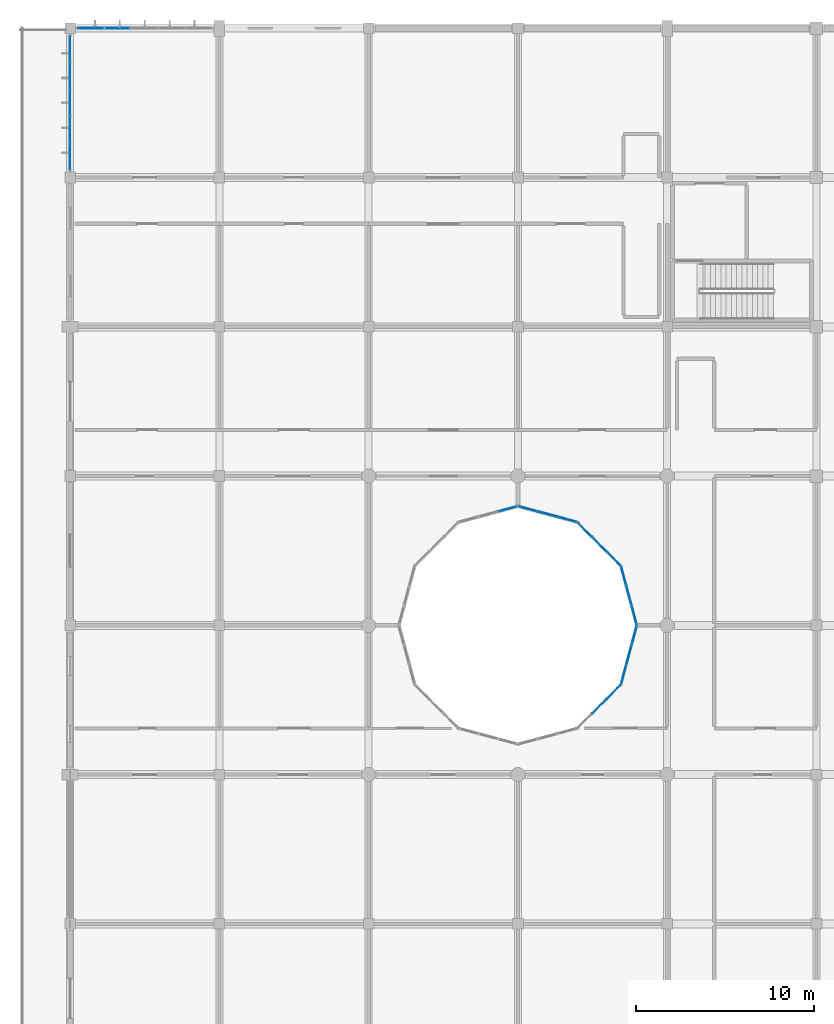
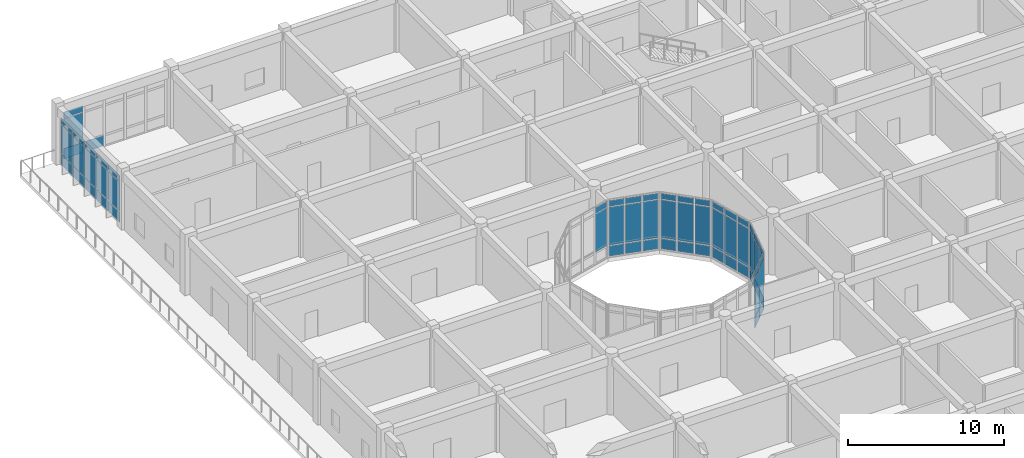
# One storey, part 71 of 138: 63 plates, 8 elements without a shape of their own.
"""IFC4 building model written with IfcOpenShell, lengths in metres."""

from ifc_helpers import new_model, si_unit, direction, frame, origin, origin_2d, place, context, subcontext, project, spatial, rectangle, extrude, material, layer, layer_set, type_object, element, aggregate, save


model = new_model("IFC4")

# Units and contexts
model_context = context("Model", 3, precision=1e-05, world=origin(), true_north=direction((0.0, 1.0)))
body_context = subcontext(model_context, "Body", "Model", "MODEL_VIEW")
ifc_project = project(units=[si_unit("LENGTHUNIT", "METRE"), si_unit("AREAUNIT", "SQUARE_METRE"), si_unit("VOLUMEUNIT", "CUBIC_METRE"), si_unit("PLANEANGLEUNIT", "RADIAN"), si_unit("MASSUNIT", "GRAM", prefix="KILO")], contexts=[model_context])

# Site, building, storey
site_placement = place(None, origin())
site = spatial("IfcSite", under=ifc_project, at=site_placement, CompositionType="ELEMENT")
building_placement = place(site_placement, origin())
building = spatial("IfcBuilding", under=site, at=building_placement, Name="Bramfleet General Hospital", CompositionType="ELEMENT")
storey_placement = place(building_placement, origin())
storey = spatial("IfcBuildingStorey", under=building, at=storey_placement, Name="L00", CompositionType="ELEMENT", Elevation=0.0)

# Curtain wall, plates
ifc_material_1 = material(Name="Anodised aluminium and low-E triple glazing", Category="aluminium")
ifc_layer_1 = layer(ifc_material_1, 0.179931640625, Name="CWT-CW-02")
ifc_layer_set_1 = layer_set([ifc_layer_1], Name="Anodised aluminium and low-E triple glazing")
curtain_wall_type_1 = type_object("IfcCurtainWallType", Name="CWT-CW-02", PredefinedType="USERDEFINED", material=ifc_layer_set_1)
curtain_wall_1_placement = place(storey_placement, origin())
curtain_wall_1 = element("IfcCurtainWall", 1, at=curtain_wall_1_placement, inside=storey, type_object=curtain_wall_type_1, Name="L00 Curtain Wall 2", ObjectType="Unitised curtain wall", PredefinedType="USERDEFINED")
ifc_material_2 = material(Name="Low-E laminated safety glass", Category="glass")
ifc_layer_2 = layer(ifc_material_2, 0.031982421875, Name="CWP-GLZ-2")
ifc_layer_set_2 = layer_set([ifc_layer_2], Name="Low-E laminated safety glass")
plate_type_1 = type_object("IfcPlateType", Name="CWP-GLZ-2", PredefinedType="CURTAIN_PANEL", material=ifc_layer_set_2)
plate_1_placement = place(storey_placement, frame((0.0, 110.357421875, 0.06494140625), z_axis=(0.0, 0.0, 1.0), x_axis=(0.0, 1.0, 0.0)))
plate_1 = element("IfcPlate", 2, at=plate_1_placement, type_object=plate_type_1, Name="CW-02 panel 1.1", PredefinedType="CURTAIN_PANEL", context=body_context, shape_type="SweptSolid", body=[
    extrude(rectangle(XDim=1.425048828125, YDim=0.031982421875, at=origin_2d()), origin(), (0.0, 0.0, 1.0), 0.802490234375),
])
plate_2_placement = place(storey_placement, frame((0.0, 110.357421875, 0.9326171875), z_axis=(0.0, 0.0, 1.0), x_axis=(0.0, 1.0, 0.0)))
plate_2 = element("IfcPlate", 3, at=plate_2_placement, type_object=plate_type_1, Name="CW-02 panel 1.2", PredefinedType="CURTAIN_PANEL", context=body_context, shape_type="SweptSolid", body=[
    extrude(rectangle(XDim=1.425048828125, YDim=0.031982421875, at=origin_2d()), origin(), (0.0, 0.0, 1.0), 2.27490234375),
])
plate_3_placement = place(storey_placement, frame((0.0, 110.357421875, 3.2724609375), z_axis=(0.0, 0.0, 1.0), x_axis=(0.0, 1.0, 0.0)))
plate_3 = element("IfcPlate", 4, at=plate_3_placement, type_object=plate_type_1, Name="CW-02 panel 1.3", PredefinedType="CURTAIN_PANEL", context=body_context, shape_type="SweptSolid", body=[
    extrude(rectangle(XDim=1.425048828125, YDim=0.031982421875, at=origin_2d()), origin(), (0.0, 0.0, 1.0), 0.452392578125),
])
plate_4_placement = place(storey_placement, frame((0.0, 111.8701171875, 0.06494140625), z_axis=(0.0, 0.0, 1.0), x_axis=(0.0, 1.0, 0.0)))
plate_4 = element("IfcPlate", 5, at=plate_4_placement, type_object=plate_type_1, Name="CW-02 panel 2.1", PredefinedType="CURTAIN_PANEL", context=body_context, shape_type="SweptSolid", body=[
    extrude(rectangle(XDim=1.4599609375, YDim=0.031982421875, at=origin_2d()), origin(), (0.0, 0.0, 1.0), 0.802490234375),
])
plate_5_placement = place(storey_placement, frame((0.0, 111.8701171875, 0.9326171875), z_axis=(0.0, 0.0, 1.0), x_axis=(0.0, 1.0, 0.0)))
plate_5 = element("IfcPlate", 6, at=plate_5_placement, type_object=plate_type_1, Name="CW-02 panel 2.2", PredefinedType="CURTAIN_PANEL", context=body_context, shape_type="SweptSolid", body=[
    extrude(rectangle(XDim=1.4599609375, YDim=0.031982421875, at=origin_2d()), origin(), (0.0, 0.0, 1.0), 2.27490234375),
])
plate_6_placement = place(storey_placement, frame((0.0, 111.8701171875, 3.2724609375), z_axis=(0.0, 0.0, 1.0), x_axis=(0.0, 1.0, 0.0)))
plate_6 = element("IfcPlate", 7, at=plate_6_placement, type_object=plate_type_1, Name="CW-02 panel 2.3", PredefinedType="CURTAIN_PANEL", context=body_context, shape_type="SweptSolid", body=[
    extrude(rectangle(XDim=1.4599609375, YDim=0.031982421875, at=origin_2d()), origin(), (0.0, 0.0, 1.0), 0.452392578125),
])
plate_7_placement = place(storey_placement, frame((0.0, 113.39990234375, 0.06494140625), z_axis=(0.0, 0.0, 1.0), x_axis=(0.0, 1.0, 0.0)))
plate_7 = element("IfcPlate", 8, at=plate_7_placement, type_object=plate_type_1, Name="CW-02 panel 3.1", PredefinedType="CURTAIN_PANEL", context=body_context, shape_type="SweptSolid", body=[
    extrude(rectangle(XDim=1.4599609375, YDim=0.031982421875, at=origin_2d()), origin(), (0.0, 0.0, 1.0), 0.802490234375),
])
plate_8_placement = place(storey_placement, frame((0.0, 113.39990234375, 0.9326171875), z_axis=(0.0, 0.0, 1.0), x_axis=(0.0, 1.0, 0.0)))
plate_8 = element("IfcPlate", 9, at=plate_8_placement, type_object=plate_type_1, Name="CW-02 panel 3.2", PredefinedType="CURTAIN_PANEL", context=body_context, shape_type="SweptSolid", body=[
    extrude(rectangle(XDim=1.4599609375, YDim=0.031982421875, at=origin_2d()), origin(), (0.0, 0.0, 1.0), 2.27490234375),
])
plate_9_placement = place(storey_placement, frame((0.0, 113.39990234375, 3.2724609375), z_axis=(0.0, 0.0, 1.0), x_axis=(0.0, 1.0, 0.0)))
plate_9 = element("IfcPlate", 10, at=plate_9_placement, type_object=plate_type_1, Name="CW-02 panel 3.3", PredefinedType="CURTAIN_PANEL", context=body_context, shape_type="SweptSolid", body=[
    extrude(rectangle(XDim=1.4599609375, YDim=0.031982421875, at=origin_2d()), origin(), (0.0, 0.0, 1.0), 0.452392578125),
])
plate_10_placement = place(storey_placement, frame((0.0, 114.929931640625, 0.06494140625), z_axis=(0.0, 0.0, 1.0), x_axis=(0.0, 1.0, 0.0)))
plate_10 = element("IfcPlate", 11, at=plate_10_placement, type_object=plate_type_1, Name="CW-02 panel 4.1", PredefinedType="CURTAIN_PANEL", context=body_context, shape_type="SweptSolid", body=[
    extrude(rectangle(XDim=1.4599609375, YDim=0.031982421875, at=origin_2d()), origin(), (0.0, 0.0, 1.0), 0.802490234375),
])
plate_11_placement = place(storey_placement, frame((0.0, 114.929931640625, 0.9326171875), z_axis=(0.0, 0.0, 1.0), x_axis=(0.0, 1.0, 0.0)))
plate_11 = element("IfcPlate", 12, at=plate_11_placement, type_object=plate_type_1, Name="CW-02 panel 4.2", PredefinedType="CURTAIN_PANEL", context=body_context, shape_type="SweptSolid", body=[
    extrude(rectangle(XDim=1.4599609375, YDim=0.031982421875, at=origin_2d()), origin(), (0.0, 0.0, 1.0), 2.27490234375),
])
plate_12_placement = place(storey_placement, frame((0.0, 114.929931640625, 3.2724609375), z_axis=(0.0, 0.0, 1.0), x_axis=(0.0, 1.0, 0.0)))
plate_12 = element("IfcPlate", 13, at=plate_12_placement, type_object=plate_type_1, Name="CW-02 panel 4.3", PredefinedType="CURTAIN_PANEL", context=body_context, shape_type="SweptSolid", body=[
    extrude(rectangle(XDim=1.4599609375, YDim=0.031982421875, at=origin_2d()), origin(), (0.0, 0.0, 1.0), 0.452392578125),
])
plate_13_placement = place(storey_placement, frame((0.0, 116.4423828125, 0.06494140625), z_axis=(0.0, 0.0, 1.0), x_axis=(0.0, 1.0, 0.0)))
plate_13 = element("IfcPlate", 14, at=plate_13_placement, type_object=plate_type_1, Name="CW-02 panel 5.1", PredefinedType="CURTAIN_PANEL", context=body_context, shape_type="SweptSolid", body=[
    extrude(rectangle(XDim=1.425048828125, YDim=0.031982421875, at=origin_2d()), origin(), (0.0, 0.0, 1.0), 0.802490234375),
])
plate_14_placement = place(storey_placement, frame((0.0, 116.4423828125, 0.9326171875), z_axis=(0.0, 0.0, 1.0), x_axis=(0.0, 1.0, 0.0)))
plate_14 = element("IfcPlate", 15, at=plate_14_placement, type_object=plate_type_1, Name="CW-02 panel 5.2", PredefinedType="CURTAIN_PANEL", context=body_context, shape_type="SweptSolid", body=[
    extrude(rectangle(XDim=1.425048828125, YDim=0.031982421875, at=origin_2d()), origin(), (0.0, 0.0, 1.0), 2.27490234375),
])
plate_15_placement = place(storey_placement, frame((0.0, 116.4423828125, 3.2724609375), z_axis=(0.0, 0.0, 1.0), x_axis=(0.0, 1.0, 0.0)))
plate_15 = element("IfcPlate", 16, at=plate_15_placement, type_object=plate_type_1, Name="CW-02 panel 5.3", PredefinedType="CURTAIN_PANEL", context=body_context, shape_type="SweptSolid", body=[
    extrude(rectangle(XDim=1.425048828125, YDim=0.031982421875, at=origin_2d()), origin(), (0.0, 0.0, 1.0), 0.452392578125),
])
aggregate(curtain_wall_1, [plate_1, plate_2, plate_3, plate_4, plate_5, plate_6, plate_7, plate_8, plate_9, plate_10, plate_11, plate_12, plate_13, plate_14, plate_15])

ifc_layer_3 = layer(ifc_material_1, 0.179931640625, Name="CWT-CW-17")
ifc_layer_set_3 = layer_set([ifc_layer_3], Name="Anodised aluminium and low-E triple glazing")
curtain_wall_type_2 = type_object("IfcCurtainWallType", Name="CWT-CW-17", PredefinedType="USERDEFINED", material=ifc_layer_set_3)
curtain_wall_2_placement = place(storey_placement, origin())
curtain_wall_2 = element("IfcCurtainWall", 17, at=curtain_wall_2_placement, inside=storey, type_object=curtain_wall_type_2, Name="L00 West Clinical Light Court Curtain Wall 5.1", ObjectType="Stick curtain wall", PredefinedType="USERDEFINED")
plate_16_placement = place(storey_placement, frame((29.77587890625, 79.424072265625, 0.06494140625), z_axis=(0.0, 0.0, 1.0), x_axis=(0.707106781187, 0.707106781187, 0.0)))
plate_16 = element("IfcPlate", 18, at=plate_16_placement, type_object=plate_type_1, Name="CW-17 panel 2.1", PredefinedType="CURTAIN_PANEL", context=body_context, shape_type="SweptSolid", body=[
    extrude(rectangle(XDim=1.0859375, YDim=0.031982421875, at=origin_2d()), origin(), (0.0, 0.0, 1.0), 0.802490234375),
])
plate_17_placement = place(storey_placement, frame((29.77587890625, 79.424072265625, 0.932373046875), z_axis=(0.0, 0.0, 1.0), x_axis=(0.707106781187, 0.707106781187, 0.0)))
plate_17 = element("IfcPlate", 19, at=plate_17_placement, type_object=plate_type_1, Name="CW-17 panel 2.2", PredefinedType="CURTAIN_PANEL", context=body_context, shape_type="SweptSolid", body=[
    extrude(rectangle(XDim=1.0859375, YDim=0.031982421875, at=origin_2d()), origin(), (0.0, 0.0, 1.0), 2.97509765625),
])
plate_18_placement = place(storey_placement, frame((29.77587890625, 79.424072265625, 3.97265625), z_axis=(0.0, 0.0, 1.0), x_axis=(0.707106781187, 0.707106781187, 0.0)))
plate_18 = element("IfcPlate", 20, at=plate_18_placement, type_object=plate_type_1, Name="CW-17 panel 2.3", PredefinedType="CURTAIN_PANEL", context=body_context, shape_type="SweptSolid", body=[
    extrude(rectangle(XDim=1.0859375, YDim=0.031982421875, at=origin_2d()), origin(), (0.0, 0.0, 1.0), 0.452392578125),
])
plate_19_placement = place(storey_placement, frame((30.5810546875, 80.22900390625, 0.06494140625), z_axis=(0.0, 0.0, 1.0), x_axis=(0.707106781187, 0.707106781187, 0.0)))
plate_19 = element("IfcPlate", 21, at=plate_19_placement, type_object=plate_type_1, Name="CW-17 panel 3.1", PredefinedType="CURTAIN_PANEL", context=body_context, shape_type="SweptSolid", body=[
    extrude(rectangle(XDim=1.05078125, YDim=0.031982421875, at=origin_2d()), origin(), (0.0, 0.0, 1.0), 0.802490234375),
])
plate_20_placement = place(storey_placement, frame((30.5810546875, 80.22900390625, 0.932373046875), z_axis=(0.0, 0.0, 1.0), x_axis=(0.707106781187, 0.707106781187, 0.0)))
plate_20 = element("IfcPlate", 22, at=plate_20_placement, type_object=plate_type_1, Name="CW-17 panel 3.2", PredefinedType="CURTAIN_PANEL", context=body_context, shape_type="SweptSolid", body=[
    extrude(rectangle(XDim=1.05078125, YDim=0.031982421875, at=origin_2d()), origin(), (0.0, 0.0, 1.0), 2.97509765625),
])
plate_21_placement = place(storey_placement, frame((30.5810546875, 80.22900390625, 3.97265625), z_axis=(0.0, 0.0, 1.0), x_axis=(0.707106781187, 0.707106781187, 0.0)))
plate_21 = element("IfcPlate", 23, at=plate_21_placement, type_object=plate_type_1, Name="CW-17 panel 3.3", PredefinedType="CURTAIN_PANEL", context=body_context, shape_type="SweptSolid", body=[
    extrude(rectangle(XDim=1.05078125, YDim=0.031982421875, at=origin_2d()), origin(), (0.0, 0.0, 1.0), 0.452392578125),
])
aggregate(curtain_wall_2, [plate_16, plate_17, plate_18, plate_19, plate_20, plate_21])

ifc_layer_4 = layer(ifc_material_1, 0.179931640625, Name="CWT-CW-18")
ifc_layer_set_4 = layer_set([ifc_layer_4], Name="Anodised aluminium and low-E triple glazing")
curtain_wall_type_3 = type_object("IfcCurtainWallType", Name="CWT-CW-18", PredefinedType="USERDEFINED", material=ifc_layer_set_4)
curtain_wall_3_placement = place(storey_placement, origin())
curtain_wall_3 = element("IfcCurtainWall", 24, at=curtain_wall_3_placement, inside=storey, type_object=curtain_wall_type_3, Name="L00 West Clinical Light Court Curtain Wall 6.1", ObjectType="Stick curtain wall", PredefinedType="USERDEFINED")
plate_22_placement = place(storey_placement, frame((31.15625, 81.225341796875, 0.06494140625), z_axis=(0.0, 0.0, 1.0), x_axis=(0.25891863407, 0.965899136003, 0.0)))
plate_22 = element("IfcPlate", 25, at=plate_22_placement, type_object=plate_type_1, Name="CW-18 panel 1.1", PredefinedType="CURTAIN_PANEL", context=body_context, shape_type="SweptSolid", body=[
    extrude(rectangle(XDim=1.051025390625, YDim=0.031982421875, at=origin_2d()), origin(), (0.0, 0.0, 1.0), 0.802490234375),
])
plate_23_placement = place(storey_placement, frame((31.15625, 81.225341796875, 0.932373046875), z_axis=(0.0, 0.0, 1.0), x_axis=(0.25891863407, 0.965899136003, 0.0)))
plate_23 = element("IfcPlate", 26, at=plate_23_placement, type_object=plate_type_1, Name="CW-18 panel 1.2", PredefinedType="CURTAIN_PANEL", context=body_context, shape_type="SweptSolid", body=[
    extrude(rectangle(XDim=1.051025390625, YDim=0.031982421875, at=origin_2d()), origin(), (0.0, 0.0, 1.0), 2.97509765625),
])
plate_24_placement = place(storey_placement, frame((31.15625, 81.225341796875, 3.97265625), z_axis=(0.0, 0.0, 1.0), x_axis=(0.25891863407, 0.965899136003, 0.0)))
plate_24 = element("IfcPlate", 27, at=plate_24_placement, type_object=plate_type_1, Name="CW-18 panel 1.3", PredefinedType="CURTAIN_PANEL", context=body_context, shape_type="SweptSolid", body=[
    extrude(rectangle(XDim=1.051025390625, YDim=0.031982421875, at=origin_2d()), origin(), (0.0, 0.0, 1.0), 0.452392578125),
])
plate_25_placement = place(storey_placement, frame((31.450927734375, 82.324951171875, 0.06494140625), z_axis=(0.0, 0.0, 1.0), x_axis=(0.25891863407, 0.965899136003, 0.0)))
plate_25 = element("IfcPlate", 28, at=plate_25_placement, type_object=plate_type_1, Name="CW-18 panel 2.1", PredefinedType="CURTAIN_PANEL", context=body_context, shape_type="SweptSolid", body=[
    extrude(rectangle(XDim=1.086181640625, YDim=0.031982421875, at=origin_2d()), origin(), (0.0, 0.0, 1.0), 0.802490234375),
])
plate_26_placement = place(storey_placement, frame((31.450927734375, 82.324951171875, 0.932373046875), z_axis=(0.0, 0.0, 1.0), x_axis=(0.25891863407, 0.965899136003, 0.0)))
plate_26 = element("IfcPlate", 29, at=plate_26_placement, type_object=plate_type_1, Name="CW-18 panel 2.2", PredefinedType="CURTAIN_PANEL", context=body_context, shape_type="SweptSolid", body=[
    extrude(rectangle(XDim=1.086181640625, YDim=0.031982421875, at=origin_2d()), origin(), (0.0, 0.0, 1.0), 2.97509765625),
])
plate_27_placement = place(storey_placement, frame((31.450927734375, 82.324951171875, 3.97265625), z_axis=(0.0, 0.0, 1.0), x_axis=(0.25891863407, 0.965899136003, 0.0)))
plate_27 = element("IfcPlate", 30, at=plate_27_placement, type_object=plate_type_1, Name="CW-18 panel 2.3", PredefinedType="CURTAIN_PANEL", context=body_context, shape_type="SweptSolid", body=[
    extrude(rectangle(XDim=1.086181640625, YDim=0.031982421875, at=origin_2d()), origin(), (0.0, 0.0, 1.0), 0.452392578125),
])
plate_28_placement = place(storey_placement, frame((31.745849609375, 83.4248046875, 0.06494140625), z_axis=(0.0, 0.0, 1.0), x_axis=(0.25891863407, 0.965899136003, 0.0)))
plate_28 = element("IfcPlate", 31, at=plate_28_placement, type_object=plate_type_1, Name="CW-18 panel 3.1", PredefinedType="CURTAIN_PANEL", context=body_context, shape_type="SweptSolid", body=[
    extrude(rectangle(XDim=1.051025390625, YDim=0.031982421875, at=origin_2d()), origin(), (0.0, 0.0, 1.0), 0.802490234375),
])
plate_29_placement = place(storey_placement, frame((31.745849609375, 83.4248046875, 0.932373046875), z_axis=(0.0, 0.0, 1.0), x_axis=(0.25891863407, 0.965899136003, 0.0)))
plate_29 = element("IfcPlate", 32, at=plate_29_placement, type_object=plate_type_1, Name="CW-18 panel 3.2", PredefinedType="CURTAIN_PANEL", context=body_context, shape_type="SweptSolid", body=[
    extrude(rectangle(XDim=1.051025390625, YDim=0.031982421875, at=origin_2d()), origin(), (0.0, 0.0, 1.0), 2.97509765625),
])
plate_30_placement = place(storey_placement, frame((31.745849609375, 83.4248046875, 3.97265625), z_axis=(0.0, 0.0, 1.0), x_axis=(0.25891863407, 0.965899136003, 0.0)))
plate_30 = element("IfcPlate", 33, at=plate_30_placement, type_object=plate_type_1, Name="CW-18 panel 3.3", PredefinedType="CURTAIN_PANEL", context=body_context, shape_type="SweptSolid", body=[
    extrude(rectangle(XDim=1.051025390625, YDim=0.031982421875, at=origin_2d()), origin(), (0.0, 0.0, 1.0), 0.452392578125),
])
aggregate(curtain_wall_3, [plate_22, plate_23, plate_24, plate_25, plate_26, plate_27, plate_28, plate_29, plate_30])

ifc_layer_5 = layer(ifc_material_1, 0.179931640625, Name="CWT-CW-11")
ifc_layer_set_5 = layer_set([ifc_layer_5], Name="Anodised aluminium and low-E triple glazing")
curtain_wall_type_4 = type_object("IfcCurtainWallType", Name="CWT-CW-11", PredefinedType="USERDEFINED", material=ifc_layer_set_5)
curtain_wall_4_placement = place(storey_placement, origin())
curtain_wall_4 = element("IfcCurtainWall", 34, at=curtain_wall_4_placement, inside=storey, type_object=curtain_wall_type_4, Name="L00 West Clinical Light Court Curtain Wall 7.1", ObjectType="Stick curtain wall", PredefinedType="USERDEFINED")
plate_31_placement = place(storey_placement, frame((31.745849609375, 84.5751953125, 0.06494140625), z_axis=(0.0, 0.0, 1.0), x_axis=(-0.25891863407, 0.965899136003, 0.0)))
plate_31 = element("IfcPlate", 35, at=plate_31_placement, type_object=plate_type_1, Name="CW-11 panel 1.1", PredefinedType="CURTAIN_PANEL", context=body_context, shape_type="SweptSolid", body=[
    extrude(rectangle(XDim=1.051025390625, YDim=0.031982421875, at=origin_2d()), origin(), (0.0, 0.0, 1.0), 0.802490234375),
])
plate_32_placement = place(storey_placement, frame((31.745849609375, 84.5751953125, 0.932373046875), z_axis=(0.0, 0.0, 1.0), x_axis=(-0.25891863407, 0.965899136003, 0.0)))
plate_32 = element("IfcPlate", 36, at=plate_32_placement, type_object=plate_type_1, Name="CW-11 panel 1.2", PredefinedType="CURTAIN_PANEL", context=body_context, shape_type="SweptSolid", body=[
    extrude(rectangle(XDim=1.051025390625, YDim=0.031982421875, at=origin_2d()), origin(), (0.0, 0.0, 1.0), 2.97509765625),
])
plate_33_placement = place(storey_placement, frame((31.745849609375, 84.5751953125, 3.97265625), z_axis=(0.0, 0.0, 1.0), x_axis=(-0.25891863407, 0.965899136003, 0.0)))
plate_33 = element("IfcPlate", 37, at=plate_33_placement, type_object=plate_type_1, Name="CW-11 panel 1.3", PredefinedType="CURTAIN_PANEL", context=body_context, shape_type="SweptSolid", body=[
    extrude(rectangle(XDim=1.051025390625, YDim=0.031982421875, at=origin_2d()), origin(), (0.0, 0.0, 1.0), 0.452392578125),
])
plate_34_placement = place(storey_placement, frame((31.450927734375, 85.675048828125, 0.06494140625), z_axis=(0.0, 0.0, 1.0), x_axis=(-0.25891863407, 0.965899136003, 0.0)))
plate_34 = element("IfcPlate", 38, at=plate_34_placement, type_object=plate_type_1, Name="CW-11 panel 2.1", PredefinedType="CURTAIN_PANEL", context=body_context, shape_type="SweptSolid", body=[
    extrude(rectangle(XDim=1.086181640625, YDim=0.031982421875, at=origin_2d()), origin(), (0.0, 0.0, 1.0), 0.802490234375),
])
plate_35_placement = place(storey_placement, frame((31.450927734375, 85.675048828125, 0.932373046875), z_axis=(0.0, 0.0, 1.0), x_axis=(-0.25891863407, 0.965899136003, 0.0)))
plate_35 = element("IfcPlate", 39, at=plate_35_placement, type_object=plate_type_1, Name="CW-11 panel 2.2", PredefinedType="CURTAIN_PANEL", context=body_context, shape_type="SweptSolid", body=[
    extrude(rectangle(XDim=1.086181640625, YDim=0.031982421875, at=origin_2d()), origin(), (0.0, 0.0, 1.0), 2.97509765625),
])
plate_36_placement = place(storey_placement, frame((31.450927734375, 85.675048828125, 3.97265625), z_axis=(0.0, 0.0, 1.0), x_axis=(-0.25891863407, 0.965899136003, 0.0)))
plate_36 = element("IfcPlate", 40, at=plate_36_placement, type_object=plate_type_1, Name="CW-11 panel 2.3", PredefinedType="CURTAIN_PANEL", context=body_context, shape_type="SweptSolid", body=[
    extrude(rectangle(XDim=1.086181640625, YDim=0.031982421875, at=origin_2d()), origin(), (0.0, 0.0, 1.0), 0.452392578125),
])
plate_37_placement = place(storey_placement, frame((31.15625, 86.774658203125, 0.06494140625), z_axis=(0.0, 0.0, 1.0), x_axis=(-0.25891863407, 0.965899136003, 0.0)))
plate_37 = element("IfcPlate", 41, at=plate_37_placement, type_object=plate_type_1, Name="CW-11 panel 3.1", PredefinedType="CURTAIN_PANEL", context=body_context, shape_type="SweptSolid", body=[
    extrude(rectangle(XDim=1.051025390625, YDim=0.031982421875, at=origin_2d()), origin(), (0.0, 0.0, 1.0), 0.802490234375),
])
plate_38_placement = place(storey_placement, frame((31.15625, 86.774658203125, 0.932373046875), z_axis=(0.0, 0.0, 1.0), x_axis=(-0.25891863407, 0.965899136003, 0.0)))
plate_38 = element("IfcPlate", 42, at=plate_38_placement, type_object=plate_type_1, Name="CW-11 panel 3.2", PredefinedType="CURTAIN_PANEL", context=body_context, shape_type="SweptSolid", body=[
    extrude(rectangle(XDim=1.051025390625, YDim=0.031982421875, at=origin_2d()), origin(), (0.0, 0.0, 1.0), 2.97509765625),
])
plate_39_placement = place(storey_placement, frame((31.15625, 86.774658203125, 3.97265625), z_axis=(0.0, 0.0, 1.0), x_axis=(-0.25891863407, 0.965899136003, 0.0)))
plate_39 = element("IfcPlate", 43, at=plate_39_placement, type_object=plate_type_1, Name="CW-11 panel 3.3", PredefinedType="CURTAIN_PANEL", context=body_context, shape_type="SweptSolid", body=[
    extrude(rectangle(XDim=1.051025390625, YDim=0.031982421875, at=origin_2d()), origin(), (0.0, 0.0, 1.0), 0.452392578125),
])
aggregate(curtain_wall_4, [plate_31, plate_32, plate_33, plate_34, plate_35, plate_36, plate_37, plate_38, plate_39])

ifc_layer_6 = layer(ifc_material_1, 0.179931640625, Name="CWT-CW-12")
ifc_layer_set_6 = layer_set([ifc_layer_6], Name="Anodised aluminium and low-E triple glazing")
curtain_wall_type_5 = type_object("IfcCurtainWallType", Name="CWT-CW-12", PredefinedType="USERDEFINED", material=ifc_layer_set_6)
curtain_wall_5_placement = place(storey_placement, origin())
curtain_wall_5 = element("IfcCurtainWall", 44, at=curtain_wall_5_placement, inside=storey, type_object=curtain_wall_type_5, Name="L00 West Clinical Light Court Curtain Wall 8.1", ObjectType="Stick curtain wall", PredefinedType="USERDEFINED")
plate_40_placement = place(storey_placement, frame((30.5810546875, 87.77099609375, 0.06494140625), z_axis=(0.0, 0.0, 1.0), x_axis=(-0.707106781187, 0.707106781187, 0.0)))
plate_40 = element("IfcPlate", 45, at=plate_40_placement, type_object=plate_type_1, Name="CW-12 panel 1.1", PredefinedType="CURTAIN_PANEL", context=body_context, shape_type="SweptSolid", body=[
    extrude(rectangle(XDim=1.05078125, YDim=0.031982421875, at=origin_2d()), origin(), (0.0, 0.0, 1.0), 0.802490234375),
])
plate_41_placement = place(storey_placement, frame((30.5810546875, 87.77099609375, 0.932373046875), z_axis=(0.0, 0.0, 1.0), x_axis=(-0.707106781187, 0.707106781187, 0.0)))
plate_41 = element("IfcPlate", 46, at=plate_41_placement, type_object=plate_type_1, Name="CW-12 panel 1.2", PredefinedType="CURTAIN_PANEL", context=body_context, shape_type="SweptSolid", body=[
    extrude(rectangle(XDim=1.05078125, YDim=0.031982421875, at=origin_2d()), origin(), (0.0, 0.0, 1.0), 2.97509765625),
])
plate_42_placement = place(storey_placement, frame((30.5810546875, 87.77099609375, 3.97265625), z_axis=(0.0, 0.0, 1.0), x_axis=(-0.707106781187, 0.707106781187, 0.0)))
plate_42 = element("IfcPlate", 47, at=plate_42_placement, type_object=plate_type_1, Name="CW-12 panel 1.3", PredefinedType="CURTAIN_PANEL", context=body_context, shape_type="SweptSolid", body=[
    extrude(rectangle(XDim=1.05078125, YDim=0.031982421875, at=origin_2d()), origin(), (0.0, 0.0, 1.0), 0.452392578125),
])
plate_43_placement = place(storey_placement, frame((29.77587890625, 88.575927734375, 0.06494140625), z_axis=(0.0, 0.0, 1.0), x_axis=(-0.707106781187, 0.707106781187, 0.0)))
plate_43 = element("IfcPlate", 48, at=plate_43_placement, type_object=plate_type_1, Name="CW-12 panel 2.1", PredefinedType="CURTAIN_PANEL", context=body_context, shape_type="SweptSolid", body=[
    extrude(rectangle(XDim=1.0859375, YDim=0.031982421875, at=origin_2d()), origin(), (0.0, 0.0, 1.0), 0.802490234375),
])
plate_44_placement = place(storey_placement, frame((29.77587890625, 88.575927734375, 0.932373046875), z_axis=(0.0, 0.0, 1.0), x_axis=(-0.707106781187, 0.707106781187, 0.0)))
plate_44 = element("IfcPlate", 49, at=plate_44_placement, type_object=plate_type_1, Name="CW-12 panel 2.2", PredefinedType="CURTAIN_PANEL", context=body_context, shape_type="SweptSolid", body=[
    extrude(rectangle(XDim=1.0859375, YDim=0.031982421875, at=origin_2d()), origin(), (0.0, 0.0, 1.0), 2.97509765625),
])
plate_45_placement = place(storey_placement, frame((29.77587890625, 88.575927734375, 3.97265625), z_axis=(0.0, 0.0, 1.0), x_axis=(-0.707106781187, 0.707106781187, 0.0)))
plate_45 = element("IfcPlate", 50, at=plate_45_placement, type_object=plate_type_1, Name="CW-12 panel 2.3", PredefinedType="CURTAIN_PANEL", context=body_context, shape_type="SweptSolid", body=[
    extrude(rectangle(XDim=1.0859375, YDim=0.031982421875, at=origin_2d()), origin(), (0.0, 0.0, 1.0), 0.452392578125),
])
plate_46_placement = place(storey_placement, frame((28.970947265625, 89.380859375, 0.06494140625), z_axis=(0.0, 0.0, 1.0), x_axis=(-0.707106781187, 0.707106781187, 0.0)))
plate_46 = element("IfcPlate", 51, at=plate_46_placement, type_object=plate_type_1, Name="CW-12 panel 3.1", PredefinedType="CURTAIN_PANEL", context=body_context, shape_type="SweptSolid", body=[
    extrude(rectangle(XDim=1.05078125, YDim=0.031982421875, at=origin_2d()), origin(), (0.0, 0.0, 1.0), 0.802490234375),
])
plate_47_placement = place(storey_placement, frame((28.970947265625, 89.380859375, 0.932373046875), z_axis=(0.0, 0.0, 1.0), x_axis=(-0.707106781187, 0.707106781187, 0.0)))
plate_47 = element("IfcPlate", 52, at=plate_47_placement, type_object=plate_type_1, Name="CW-12 panel 3.2", PredefinedType="CURTAIN_PANEL", context=body_context, shape_type="SweptSolid", body=[
    extrude(rectangle(XDim=1.05078125, YDim=0.031982421875, at=origin_2d()), origin(), (0.0, 0.0, 1.0), 2.97509765625),
])
plate_48_placement = place(storey_placement, frame((28.970947265625, 89.380859375, 3.97265625), z_axis=(0.0, 0.0, 1.0), x_axis=(-0.707106781187, 0.707106781187, 0.0)))
plate_48 = element("IfcPlate", 53, at=plate_48_placement, type_object=plate_type_1, Name="CW-12 panel 3.3", PredefinedType="CURTAIN_PANEL", context=body_context, shape_type="SweptSolid", body=[
    extrude(rectangle(XDim=1.05078125, YDim=0.031982421875, at=origin_2d()), origin(), (0.0, 0.0, 1.0), 0.452392578125),
])
aggregate(curtain_wall_5, [plate_40, plate_41, plate_42, plate_43, plate_44, plate_45, plate_46, plate_47, plate_48])

ifc_layer_7 = layer(ifc_material_1, 0.179931640625, Name="CWT-CW-13")
ifc_layer_set_7 = layer_set([ifc_layer_7], Name="Anodised aluminium and low-E triple glazing")
curtain_wall_type_6 = type_object("IfcCurtainWallType", Name="CWT-CW-13", PredefinedType="USERDEFINED", material=ifc_layer_set_7)
curtain_wall_6_placement = place(storey_placement, origin())
curtain_wall_6 = element("IfcCurtainWall", 54, at=curtain_wall_6_placement, inside=storey, type_object=curtain_wall_type_6, Name="L00 West Clinical Light Court Curtain Wall 9.1", ObjectType="Stick curtain wall", PredefinedType="USERDEFINED")
plate_49_placement = place(storey_placement, frame((27.974853515625, 89.956298828125, 0.06494140625), z_axis=(0.0, 0.0, 1.0), x_axis=(-0.965899136003, 0.25891863407, 0.0)))
plate_49 = element("IfcPlate", 55, at=plate_49_placement, type_object=plate_type_1, Name="CW-13 panel 1.1", PredefinedType="CURTAIN_PANEL", context=body_context, shape_type="SweptSolid", body=[
    extrude(rectangle(XDim=1.051025390625, YDim=0.031982421875, at=origin_2d()), origin(), (0.0, 0.0, 1.0), 0.802490234375),
])
plate_50_placement = place(storey_placement, frame((27.974853515625, 89.956298828125, 0.932373046875), z_axis=(0.0, 0.0, 1.0), x_axis=(-0.965899136003, 0.25891863407, 0.0)))
plate_50 = element("IfcPlate", 56, at=plate_50_placement, type_object=plate_type_1, Name="CW-13 panel 1.2", PredefinedType="CURTAIN_PANEL", context=body_context, shape_type="SweptSolid", body=[
    extrude(rectangle(XDim=1.051025390625, YDim=0.031982421875, at=origin_2d()), origin(), (0.0, 0.0, 1.0), 2.97509765625),
])
plate_51_placement = place(storey_placement, frame((27.974853515625, 89.956298828125, 3.97265625), z_axis=(0.0, 0.0, 1.0), x_axis=(-0.965899136003, 0.25891863407, 0.0)))
plate_51 = element("IfcPlate", 57, at=plate_51_placement, type_object=plate_type_1, Name="CW-13 panel 1.3", PredefinedType="CURTAIN_PANEL", context=body_context, shape_type="SweptSolid", body=[
    extrude(rectangle(XDim=1.051025390625, YDim=0.031982421875, at=origin_2d()), origin(), (0.0, 0.0, 1.0), 0.452392578125),
])
plate_52_placement = place(storey_placement, frame((26.875, 90.2509765625, 0.06494140625), z_axis=(0.0, 0.0, 1.0), x_axis=(-0.965899136003, 0.25891863407, 0.0)))
plate_52 = element("IfcPlate", 58, at=plate_52_placement, type_object=plate_type_1, Name="CW-13 panel 2.1", PredefinedType="CURTAIN_PANEL", context=body_context, shape_type="SweptSolid", body=[
    extrude(rectangle(XDim=1.086181640625, YDim=0.031982421875, at=origin_2d()), origin(), (0.0, 0.0, 1.0), 0.802490234375),
])
plate_53_placement = place(storey_placement, frame((26.875, 90.2509765625, 0.932373046875), z_axis=(0.0, 0.0, 1.0), x_axis=(-0.965899136003, 0.25891863407, 0.0)))
plate_53 = element("IfcPlate", 59, at=plate_53_placement, type_object=plate_type_1, Name="CW-13 panel 2.2", PredefinedType="CURTAIN_PANEL", context=body_context, shape_type="SweptSolid", body=[
    extrude(rectangle(XDim=1.086181640625, YDim=0.031982421875, at=origin_2d()), origin(), (0.0, 0.0, 1.0), 2.97509765625),
])
plate_54_placement = place(storey_placement, frame((26.875, 90.2509765625, 3.97265625), z_axis=(0.0, 0.0, 1.0), x_axis=(-0.965899136003, 0.25891863407, 0.0)))
plate_54 = element("IfcPlate", 60, at=plate_54_placement, type_object=plate_type_1, Name="CW-13 panel 2.3", PredefinedType="CURTAIN_PANEL", context=body_context, shape_type="SweptSolid", body=[
    extrude(rectangle(XDim=1.086181640625, YDim=0.031982421875, at=origin_2d()), origin(), (0.0, 0.0, 1.0), 0.452392578125),
])
plate_55_placement = place(storey_placement, frame((25.775146484375, 90.5458984375, 0.06494140625), z_axis=(0.0, 0.0, 1.0), x_axis=(-0.965899136003, 0.25891863407, 0.0)))
plate_55 = element("IfcPlate", 61, at=plate_55_placement, type_object=plate_type_1, Name="CW-13 panel 3.1", PredefinedType="CURTAIN_PANEL", context=body_context, shape_type="SweptSolid", body=[
    extrude(rectangle(XDim=1.051025390625, YDim=0.031982421875, at=origin_2d()), origin(), (0.0, 0.0, 1.0), 0.802490234375),
])
plate_56_placement = place(storey_placement, frame((25.775146484375, 90.5458984375, 0.932373046875), z_axis=(0.0, 0.0, 1.0), x_axis=(-0.965899136003, 0.25891863407, 0.0)))
plate_56 = element("IfcPlate", 62, at=plate_56_placement, type_object=plate_type_1, Name="CW-13 panel 3.2", PredefinedType="CURTAIN_PANEL", context=body_context, shape_type="SweptSolid", body=[
    extrude(rectangle(XDim=1.051025390625, YDim=0.031982421875, at=origin_2d()), origin(), (0.0, 0.0, 1.0), 2.97509765625),
])
plate_57_placement = place(storey_placement, frame((25.775146484375, 90.5458984375, 3.97265625), z_axis=(0.0, 0.0, 1.0), x_axis=(-0.965899136003, 0.25891863407, 0.0)))
plate_57 = element("IfcPlate", 63, at=plate_57_placement, type_object=plate_type_1, Name="CW-13 panel 3.3", PredefinedType="CURTAIN_PANEL", context=body_context, shape_type="SweptSolid", body=[
    extrude(rectangle(XDim=1.051025390625, YDim=0.031982421875, at=origin_2d()), origin(), (0.0, 0.0, 1.0), 0.452392578125),
])
aggregate(curtain_wall_6, [plate_49, plate_50, plate_51, plate_52, plate_53, plate_54, plate_55, plate_56, plate_57])

ifc_layer_8 = layer(ifc_material_1, 0.179931640625, Name="CWT-CW-14")
ifc_layer_set_8 = layer_set([ifc_layer_8], Name="Anodised aluminium and low-E triple glazing")
curtain_wall_type_7 = type_object("IfcCurtainWallType", Name="CWT-CW-14", PredefinedType="USERDEFINED", material=ifc_layer_set_8)
curtain_wall_7_placement = place(storey_placement, origin())
curtain_wall_7 = element("IfcCurtainWall", 64, at=curtain_wall_7_placement, inside=storey, type_object=curtain_wall_type_7, Name="L00 West Clinical Light Court Curtain Wall 10.1", ObjectType="Stick curtain wall", PredefinedType="USERDEFINED")
plate_58_placement = place(storey_placement, frame((24.624755859375, 90.5458984375, 0.932373046875), z_axis=(0.0, 0.0, 1.0), x_axis=(-0.965899136003, -0.25891863407, 0.0)))
plate_58 = element("IfcPlate", 65, at=plate_58_placement, type_object=plate_type_1, Name="CW-14 panel 1.2", PredefinedType="CURTAIN_PANEL", context=body_context, shape_type="SweptSolid", body=[
    extrude(rectangle(XDim=1.051025390625, YDim=0.031982421875, at=origin_2d()), origin(), (0.0, 0.0, 1.0), 2.97509765625),
])
plate_59_placement = place(storey_placement, frame((24.624755859375, 90.5458984375, 3.97265625), z_axis=(0.0, 0.0, 1.0), x_axis=(-0.965899136003, -0.25891863407, 0.0)))
plate_59 = element("IfcPlate", 66, at=plate_59_placement, type_object=plate_type_1, Name="CW-14 panel 1.3", PredefinedType="CURTAIN_PANEL", context=body_context, shape_type="SweptSolid", body=[
    extrude(rectangle(XDim=1.051025390625, YDim=0.031982421875, at=origin_2d()), origin(), (0.0, 0.0, 1.0), 0.452392578125),
])
aggregate(curtain_wall_7, [plate_58, plate_59])

ifc_layer_9 = layer(ifc_material_1, 0.179931640625, Name="CWT-CW-03")
ifc_layer_set_9 = layer_set([ifc_layer_9], Name="Anodised aluminium and low-E triple glazing")
curtain_wall_type_8 = type_object("IfcCurtainWallType", Name="CWT-CW-03", PredefinedType="USERDEFINED", material=ifc_layer_set_9)
curtain_wall_8_placement = place(storey_placement, origin())
curtain_wall_8 = element("IfcCurtainWall", 67, at=curtain_wall_8_placement, inside=storey, type_object=curtain_wall_type_8, Name="L00 Curtain Wall 3", ObjectType="Unitised curtain wall", PredefinedType="USERDEFINED")
ifc_layer_10 = layer(ifc_material_2, 0.035888671875, Name="CWP-GLZ-3")
ifc_layer_set_10 = layer_set([ifc_layer_10], Name="Low-E laminated safety glass")
plate_type_2 = type_object("IfcPlateType", Name="CWP-GLZ-3", PredefinedType="CURTAIN_PANEL", material=ifc_layer_set_10)
plate_60_placement = place(storey_placement, frame((1.157470703125, 117.60009765625, 0.06494140625), z_axis=(0.0, 0.0, 1.0), x_axis=(1.0, 0.0, 0.0)))
plate_60 = element("IfcPlate", 68, at=plate_60_placement, type_object=plate_type_2, Name="CW-03 panel 1.1", PredefinedType="CURTAIN_PANEL", context=body_context, shape_type="SweptSolid", body=[
    extrude(rectangle(XDim=1.425048828125, YDim=0.035888671875, at=origin_2d()), origin(), (0.0, 0.0, 1.0), 0.802490234375),
])
plate_61_placement = place(storey_placement, frame((1.157470703125, 117.60009765625, 0.9326171875), z_axis=(0.0, 0.0, 1.0), x_axis=(1.0, 0.0, 0.0)))
plate_61 = element("IfcPlate", 69, at=plate_61_placement, type_object=plate_type_2, Name="CW-03 panel 1.2", PredefinedType="CURTAIN_PANEL", context=body_context, shape_type="SweptSolid", body=[
    extrude(rectangle(XDim=1.425048828125, YDim=0.035888671875, at=origin_2d()), origin(), (0.0, 0.0, 1.0), 2.27490234375),
])
plate_62_placement = place(storey_placement, frame((1.157470703125, 117.60009765625, 3.2724609375), z_axis=(0.0, 0.0, 1.0), x_axis=(1.0, 0.0, 0.0)))
plate_62 = element("IfcPlate", 70, at=plate_62_placement, type_object=plate_type_2, Name="CW-03 panel 1.3", PredefinedType="CURTAIN_PANEL", context=body_context, shape_type="SweptSolid", body=[
    extrude(rectangle(XDim=1.425048828125, YDim=0.035888671875, at=origin_2d()), origin(), (0.0, 0.0, 1.0), 0.452392578125),
])
plate_63_placement = place(storey_placement, frame((2.669921875, 117.60009765625, 0.06494140625), z_axis=(0.0, 0.0, 1.0), x_axis=(1.0, 0.0, 0.0)))
plate_63 = element("IfcPlate", 71, at=plate_63_placement, type_object=plate_type_2, Name="CW-03 panel 2.1", PredefinedType="CURTAIN_PANEL", context=body_context, shape_type="SweptSolid", body=[
    extrude(rectangle(XDim=1.4599609375, YDim=0.035888671875, at=origin_2d()), origin(), (0.0, 0.0, 1.0), 0.802490234375),
])
aggregate(curtain_wall_8, [plate_60, plate_61, plate_62, plate_63])

save(model, "model.ifc")
